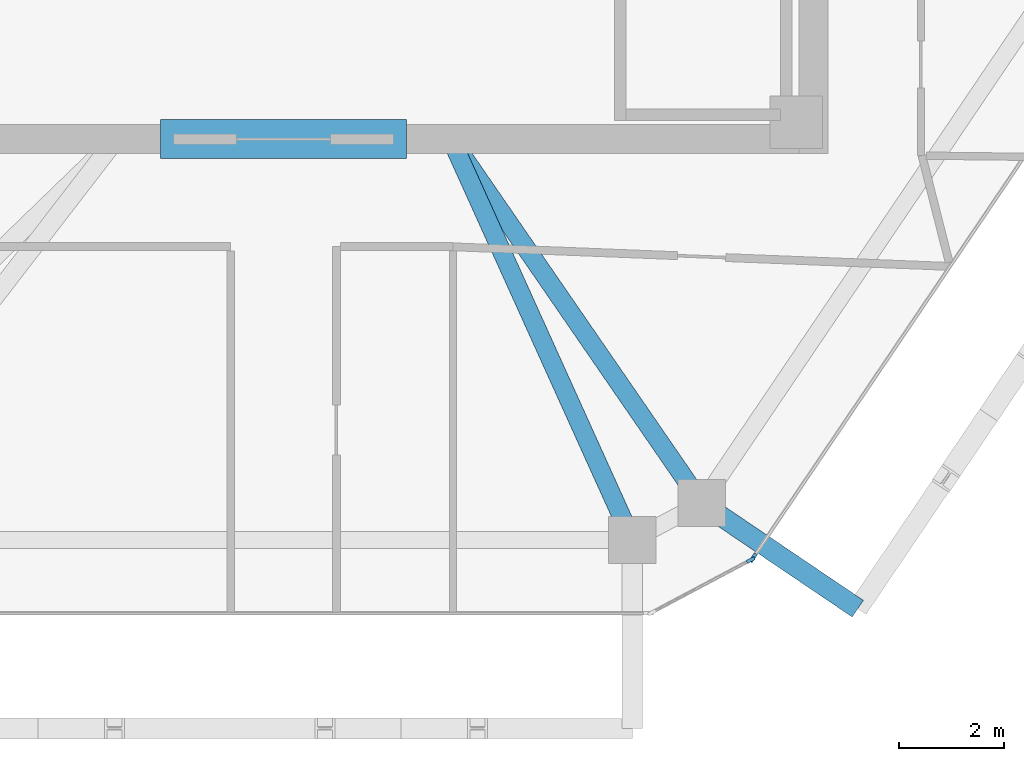
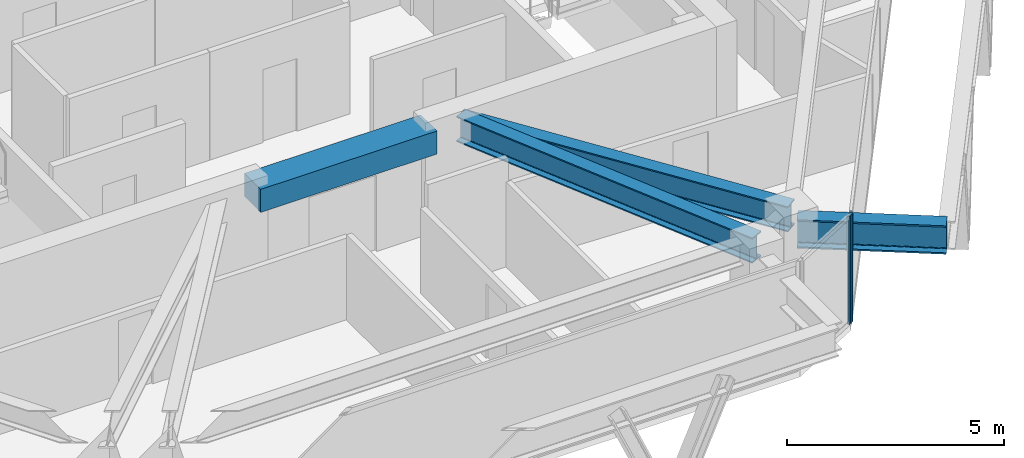
# One storey, part 3 of 11: 4 beams, 2 members, 2 elements without a shape of their own.
"""IFC4 building model written with IfcOpenShell, lengths in metres."""

from ifc_helpers import new_model, si_unit, direction, frame, origin, origin_2d, place, context, subcontext, project, spatial, rectangle, i_section, extrude, source, transform, mapped, material, layer, layer_set, material_profile, profile_set, type_object, type_shapes, element, aggregate, save


model = new_model("IFC4")

# Units and contexts
model_context = context("Model", 3, precision=1e-05, world=origin(), true_north=direction((0.0, 1.0)))
body_context = subcontext(model_context, "Body", "Model", "MODEL_VIEW")
ifc_project = project(units=[si_unit("LENGTHUNIT", "METRE"), si_unit("AREAUNIT", "SQUARE_METRE"), si_unit("VOLUMEUNIT", "CUBIC_METRE"), si_unit("PLANEANGLEUNIT", "RADIAN"), si_unit("MASSUNIT", "GRAM", prefix="KILO")], contexts=[model_context])

# Site, building, storey
site_placement = place(None, origin())
site = spatial("IfcSite", under=ifc_project, at=site_placement, CompositionType="ELEMENT")
building_placement = place(site_placement, origin())
building = spatial("IfcBuilding", under=site, at=building_placement, Name="Durnholm Broadcast Tower", CompositionType="ELEMENT")
storey_placement = place(building_placement, frame((0.0, 0.0, 224.89990234375)))
storey = spatial("IfcBuildingStorey", under=building, at=storey_placement, Name="L62", CompositionType="ELEMENT", Elevation=224.89990234375)

# Beams
ifc_material_1 = material(Name="Concrete C70/85", Category="concrete")
ifc_material_profile_1 = material_profile(ifc_material_1, rectangle(XDim=0.75, YDim=0.64990234375, at=origin_2d()), Name="RC750X650")
ifc_profile_set_1 = profile_set([ifc_material_profile_1], Name="Concrete C70/85")
beam_type_1 = type_object("IfcBeamType", Name="BM-CB-RC650", PredefinedType="LINTEL", material=ifc_profile_set_1)
shared_shape_1 = source(origin(), body_context, "Body", "SweptSolid", [
    extrude(rectangle(XDim=0.75, YDim=0.64990234375, at=origin_2d()), origin(), (0.0, 0.0, 1.0), 4.7001953125),
])
type_shapes(beam_type_1, [shared_shape_1])
beam_1_placement = place(storey_placement, frame((-2.35009765625, -8.125, 2.72998046875), z_axis=(1.0, 0.0, 0.0), x_axis=(0.0, 1.0, 0.0)))
element("IfcBeam", 1, at=beam_1_placement, inside=storey, type_object=beam_type_1, Name="L62 south core coupling lintel beam CB-S", PredefinedType="LINTEL", context=body_context, shape_type="MappedRepresentation", body=[
    mapped(shared_shape_1, transform((0.0, 0.0, 0.0), x_axis=(1.0, 0.0, 0.0), y_axis=(0.0, 1.0, 0.0), z_axis=(0.0, 0.0, 1.0), scale=1.0)),
])
ifc_material_2 = material(Name="Steel ASTM A992 Grade 50", Category="steel")
ifc_material_profile_2 = material_profile(ifc_material_2, i_section(OverallWidth=0.385009765625, OverallDepth=0.802978515625, WebThickness=0.023681640625, FlangeThickness=0.0419921875, FilletRadius=0.032958984375, at=origin_2d()), Name="W30X261")
ifc_profile_set_2 = profile_set([ifc_material_profile_2], Name="Steel ASTM A992 Grade 50")
beam_type_2 = type_object("IfcBeamType", Name="BM-EXO-TIE", PredefinedType="USERDEFINED", material=ifc_profile_set_2)
shared_shape_2 = source(origin(), body_context, "Body", "SweptSolid", [
    extrude(i_section(OverallWidth=0.385009765625, OverallDepth=0.802978515625, WebThickness=0.023681640625, FlangeThickness=0.0419921875, FilletRadius=0.032958984375, at=origin_2d()), origin(), (0.0, 0.0, 1.0), 3.4560546875),
])
type_shapes(beam_type_2, [shared_shape_2])
beam_2_placement = place(storey_placement, frame((8.110107421875, -15.161865234375, 2.30859375), z_axis=(0.828468499792, -0.560035663911, 0.0), x_axis=(0.560035663911, 0.828468499792, 0.0)))
element("IfcBeam", 2, at=beam_2_placement, inside=storey, type_object=beam_type_2, Name="L62 exoskeleton stand-off tie bracket F2.1", ObjectType="GIRDER", PredefinedType="USERDEFINED", context=body_context, shape_type="MappedRepresentation", body=[
    mapped(shared_shape_2, transform((0.0, 0.0, 0.0), x_axis=(1.0, 0.0, 0.0), y_axis=(0.0, 1.0, 0.0), z_axis=(0.0, 0.0, 1.0), scale=1.0)),
])
ifc_material_profile_3 = material_profile(ifc_material_2, i_section(OverallWidth=0.3564453125, OverallDepth=0.713623046875, WebThickness=0.01904296875, FlangeThickness=0.033935546875, FilletRadius=0.030517578125, at=origin_2d()), Name="W27X194")
ifc_profile_set_3 = profile_set([ifc_material_profile_3], Name="Steel ASTM A992 Grade 50")
beam_type_3 = type_object("IfcBeamType", Name="STL-GR-W27X194", PredefinedType="USERDEFINED", material=ifc_profile_set_3)
shared_shape_3 = source(origin(), body_context, "Body", "SweptSolid", [
    extrude(i_section(OverallWidth=0.3564453125, OverallDepth=0.713623046875, WebThickness=0.01904296875, FlangeThickness=0.033935546875, FilletRadius=0.030517578125, at=origin_2d()), origin(), (0.0, 0.0, 1.0), 8.446533203125),
])
beam_3_placement = place(storey_placement, frame((3.199951171875, -8.125, 2.688232421875), z_axis=(0.567216806915, -0.823568511997, 0.0), x_axis=(0.823568511997, 0.567216806915, 0.0)))
element("IfcBeam", 3, at=beam_3_placement, inside=storey, type_object=beam_type_3, Name="L62 radial primary floor girder 10", ObjectType="GIRDER", PredefinedType="USERDEFINED", context=body_context, shape_type="MappedRepresentation", body=[
    mapped(shared_shape_3, transform((0.0, 0.0, 0.0), x_axis=(1.0, 0.0, 0.0), y_axis=(0.0, 1.0, 0.0), z_axis=(0.0, 0.0, 1.0), scale=1.0)),
])
shared_shape_4 = source(origin(), body_context, "Body", "SweptSolid", [
    extrude(i_section(OverallWidth=0.3564453125, OverallDepth=0.713623046875, WebThickness=0.01904296875, FlangeThickness=0.033935546875, FilletRadius=0.030517578125, at=origin_2d()), origin(), (0.0, 0.0, 1.0), 8.407470703125),
])
type_shapes(beam_type_3, [shared_shape_3, shared_shape_4])
beam_4_placement = place(storey_placement, frame((3.199951171875, -8.125, 2.688232421875), z_axis=(0.411992813642, -0.911187094678, 0.0), x_axis=(0.911187094678, 0.411992813642, 0.0)))
element("IfcBeam", 4, at=beam_4_placement, inside=storey, type_object=beam_type_3, Name="L62 radial primary floor girder 11", ObjectType="GIRDER", PredefinedType="USERDEFINED", context=body_context, shape_type="MappedRepresentation", body=[
    mapped(shared_shape_4, transform((0.0, 0.0, 0.0), x_axis=(1.0, 0.0, 0.0), y_axis=(0.0, 1.0, 0.0), z_axis=(0.0, 0.0, 1.0), scale=1.0)),
])

# Curtain wall, member
ifc_material_3 = material(Name="Aluminium and Solar Control IGU", Category="aluminium")
ifc_layer_1 = layer(ifc_material_3, 0.1650390625)
ifc_layer_set_1 = layer_set([ifc_layer_1], Name="Aluminium and Solar Control IGU")
curtain_wall_type_1 = type_object("IfcCurtainWallType", Name="CW-SYS-5", PredefinedType="NOTDEFINED", material=ifc_layer_set_1)
curtain_wall_1_placement = place(storey_placement, origin())
curtain_wall_1 = element("IfcCurtainWall", 5, at=curtain_wall_1_placement, inside=storey, type_object=curtain_wall_type_1, Name="L62 curtain wall CW-CORNER CW-L62-CRN-09", PredefinedType="NOTDEFINED")
ifc_material_4 = material(Name="Aluminium 6063-T6", Category="aluminium")
ifc_material_profile_4 = material_profile(ifc_material_4, rectangle(XDim=0.06494140625, YDim=0.1650390625, at=origin_2d()), Name="CWM65X165")
ifc_profile_set_4 = profile_set([ifc_material_profile_4], Name="Aluminium 6063-T6")
member_type_1 = type_object("IfcMemberType", Name="CW-SYS-5-MUL", PredefinedType="MULLION", material=ifc_profile_set_4)
shared_shape_5 = source(origin(), body_context, "Body", "SweptSolid", [
    extrude(rectangle(XDim=0.06494140625, YDim=0.1650390625, at=origin_2d()), origin(), (0.0, 0.0, 1.0), 3.06005859375),
])
type_shapes(member_type_1, [shared_shape_5])
member_1_placement = place(storey_placement, frame((8.9267578125, -16.16943359375, 0.0), z_axis=(0.0, 0.0, 1.0), x_axis=(0.469006771575, -0.883194569853, 0.0)))
member_1 = element("IfcMember", 6, at=member_1_placement, type_object=member_type_1, Name="CW-CORNER mullion 1", PredefinedType="MULLION", context=body_context, shape_type="MappedRepresentation", body=[
    mapped(shared_shape_5, transform((0.0, 0.0, 0.0), x_axis=(1.0, 0.0, 0.0), y_axis=(0.0, 1.0, 0.0), z_axis=(0.0, 0.0, 1.0), scale=1.0)),
])
aggregate(curtain_wall_1, [member_1])

ifc_layer_2 = layer(ifc_material_3, 0.18994140625)
ifc_layer_set_2 = layer_set([ifc_layer_2], Name="Aluminium and Solar Control IGU")
curtain_wall_type_2 = type_object("IfcCurtainWallType", Name="CW-SYS-4", PredefinedType="NOTDEFINED", material=ifc_layer_set_2)
curtain_wall_2_placement = place(storey_placement, origin())
curtain_wall_2 = element("IfcCurtainWall", 7, at=curtain_wall_2_placement, inside=storey, type_object=curtain_wall_type_2, Name="L62 curtain wall CW-Z34-VIS CW-L62-F08", PredefinedType="NOTDEFINED")
ifc_material_profile_5 = material_profile(ifc_material_4, rectangle(XDim=0.070068359375, YDim=0.18994140625, at=origin_2d()), Name="CWM70X190")
ifc_profile_set_5 = profile_set([ifc_material_profile_5], Name="Aluminium 6063-T6")
member_type_2 = type_object("IfcMemberType", Name="CW-SYS-4-MUL", PredefinedType="MULLION", material=ifc_profile_set_5)
shared_shape_6 = source(origin(), body_context, "Body", "SweptSolid", [
    extrude(rectangle(XDim=0.070068359375, YDim=0.18994140625, at=origin_2d()), origin(), (0.0, 0.0, 1.0), 3.06005859375),
])
type_shapes(member_type_2, [shared_shape_6])
member_2_placement = place(storey_placement, frame((8.97509765625, -16.125244140625, 0.0), z_axis=(0.0, 0.0, 1.0), x_axis=(0.828443431662, -0.560072745753, 0.0)))
member_2 = element("IfcMember", 8, at=member_2_placement, type_object=member_type_2, Name="CW-Z34-VIS mullion 2", PredefinedType="MULLION", context=body_context, shape_type="MappedRepresentation", body=[
    mapped(shared_shape_6, transform((0.0, 0.0, 0.0), x_axis=(1.0, 0.0, 0.0), y_axis=(0.0, 1.0, 0.0), z_axis=(0.0, 0.0, 1.0), scale=1.0)),
])
aggregate(curtain_wall_2, [member_2])

save(model, "model.ifc")
